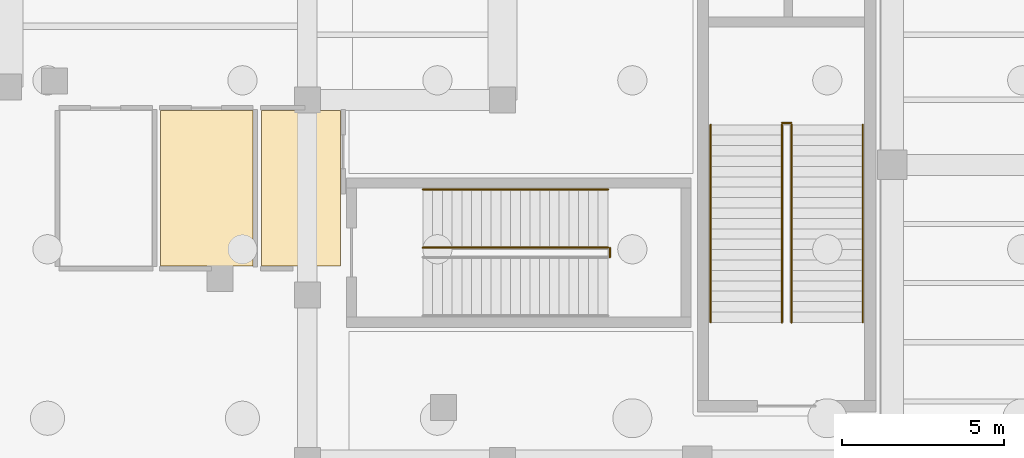
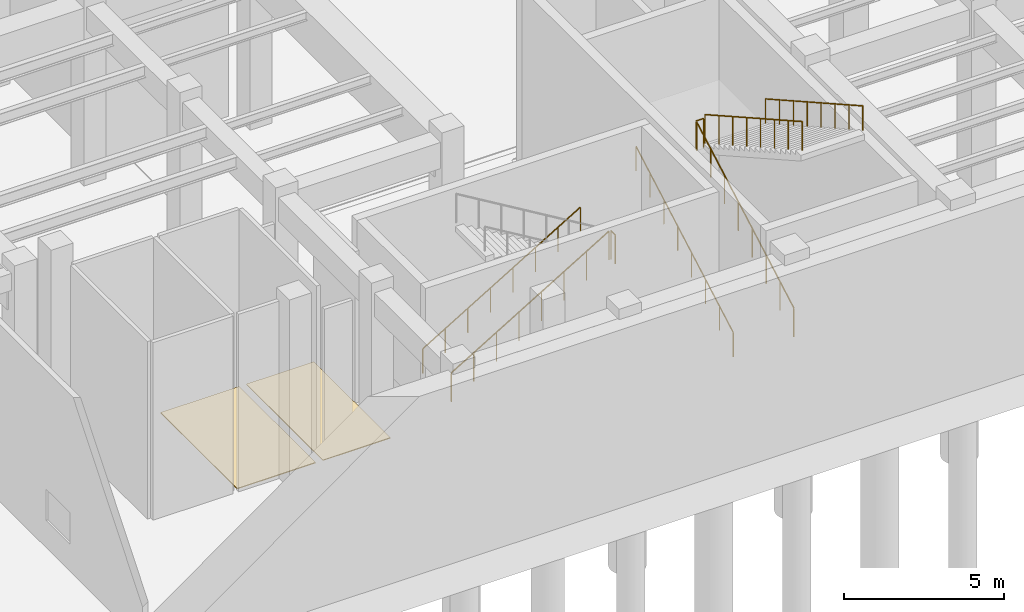
# One storey, part 24 of 30: 8 railings, 2 coverings, 2 elements without a shape of their own.
"""IFC4 building model written with IfcOpenShell, lengths in metres."""

from ifc_helpers import new_model, si_unit, direction, frame, origin, origin_2d, place, context, subcontext, project, spatial, polyline, circle, outline, extrude, material, layer, layer_set, type_object, element, aggregate, save


model = new_model("IFC4")

# Units and contexts
model_context = context("Model", 3, precision=1e-05, world=origin(), true_north=direction((0.0, 1.0)))
body_context = subcontext(model_context, "Body", "Model", "MODEL_VIEW")
ifc_project = project(units=[si_unit("LENGTHUNIT", "METRE"), si_unit("AREAUNIT", "SQUARE_METRE"), si_unit("VOLUMEUNIT", "CUBIC_METRE"), si_unit("PLANEANGLEUNIT", "RADIAN"), si_unit("MASSUNIT", "GRAM", prefix="KILO")], contexts=[model_context])

# Site, building, storey
site_placement = place(None, origin())
site = spatial("IfcSite", under=ifc_project, at=site_placement, CompositionType="ELEMENT")
building_placement = place(site_placement, origin())
building = spatial("IfcBuilding", under=site, at=building_placement, Name="Kolvaren Corner Interchange", CompositionType="ELEMENT")
storey_placement = place(building_placement, frame((0.0, 0.0, -7.199951171875)))
storey = spatial("IfcBuildingStorey", under=building, at=storey_placement, Name="B1", CompositionType="ELEMENT", Elevation=-7.199951171875)

# Coverings
ifc_material_1 = material(Name="Polished Niger Delta Granite Terrazzo Flooring", Category="masonry")
ifc_layer = layer(ifc_material_1, 0.030029296875)
ifc_layer_set = layer_set([ifc_layer], Name="Polished Niger Delta Granite Terrazzo Flooring")
covering_type = type_object("IfcCoveringType", Name="COV-FLR-TER30", PredefinedType="FLOORING", material=ifc_layer_set)
covering_1_placement = place(storey_placement, origin())
element("IfcCovering", 1, at=covering_1_placement, inside=storey, type_object=covering_type, Name="B1 Female WC Floor Finish", PredefinedType="FLOORING", context=body_context, shape_type="SweptSolid", body=[
    extrude(outline(polyline([(43.47998046875, 30.8798828125), (46.320068359375, 30.8798828125), (46.320068359375, 35.669921875), (43.47998046875, 35.669921875), (43.47998046875, 30.8798828125)])), origin(), (0.0, 0.0, 1.0), 0.030029296875),
])
covering_2_placement = place(storey_placement, origin())
element("IfcCovering", 2, at=covering_2_placement, inside=storey, type_object=covering_type, Name="B1 Accessible WC Floor Finish", PredefinedType="FLOORING", context=body_context, shape_type="SweptSolid", body=[
    extrude(outline(polyline([(46.580078125, 30.8798828125), (49.02001953125, 30.8798828125), (49.02001953125, 35.669921875), (46.580078125, 35.669921875), (46.580078125, 30.8798828125)])), origin(), (0.0, 0.0, 1.0), 0.030029296875),
])

# Stair, railings
ifc_material_2 = material(Name="Concrete C35/45", Category="concrete")
stair_type_1 = type_object("IfcStairType", Name="ST-TR-2300", PredefinedType="HALF_TURN_STAIR", material=ifc_material_2)
stair_1_placement = place(storey_placement, origin())
stair_1 = element("IfcStair", 3, at=stair_1_placement, inside=storey, type_object=stair_type_1, Name="Core C3 West Concourse Transfer Stair B1 to L01 Stair", PredefinedType="HALF_TURN_STAIR")
ifc_material_3 = material(Name="Powder-Coated Steel Stairwell Guardrail", Category="steel")
railing_type_1 = type_object("IfcRailingType", Name="RLT-STAIR-GRD1120", PredefinedType="GUARDRAIL", material=ifc_material_3)
railing_1_placement = place(storey_placement, frame((62.60009765625, 29.14990234375, 0.179931640625)))
railing_1 = element("IfcRailing", 4, at=railing_1_placement, type_object=railing_type_1, Name="Core C3 West Concourse Transfer Stair B1 Lower Flight Well Guardrail", PredefinedType="GUARDRAIL", context=body_context, shape_type="SweptSolid", body=[
    extrude(circle(Radius=0.02392578125, at=origin_2d()), frame((0.0, 0.0, 1.09619140625), z_axis=(0.0, 0.871583014279, 0.490247946676), x_axis=(-1.0, 0.0, 0.0)), (0.0, 0.0, 1.0), 6.975830078125),
    extrude(circle(Radius=0.02001953125, at=origin_2d()), origin(), (0.0, 0.0, 1.0), 1.072021484375),
    extrude(circle(Radius=0.02001953125, at=origin_2d()), frame((0.0, 0.86865234375, 0.488525390625)), (0.0, 0.0, 1.0), 1.072021484375),
    extrude(circle(Radius=0.02001953125, at=origin_2d()), frame((0.0, 1.737060546875, 0.97705078125)), (0.0, 0.0, 1.0), 1.072021484375),
    extrude(circle(Radius=0.02001953125, at=origin_2d()), frame((0.0, 2.605712890625, 1.465576171875)), (0.0, 0.0, 1.0), 1.072021484375),
    extrude(circle(Radius=0.02001953125, at=origin_2d()), frame((0.0, 3.474365234375, 1.954345703125)), (0.0, 0.0, 1.0), 1.072021484375),
    extrude(circle(Radius=0.02001953125, at=origin_2d()), frame((0.0, 4.343017578125, 2.44287109375)), (0.0, 0.0, 1.0), 1.072021484375),
    extrude(circle(Radius=0.02001953125, at=origin_2d()), frame((0.0, 5.21142578125, 2.931396484375)), (0.0, 0.0, 1.0), 1.072021484375),
    extrude(circle(Radius=0.02001953125, at=origin_2d()), frame((0.0, 6.080078125, 3.419921875)), (0.0, 0.0, 1.0), 1.072021484375),
])
railing_2_placement = place(storey_placement, frame((62.610107421875, 35.2900390625, 3.599853515625)))
railing_2 = element("IfcRailing", 5, at=railing_2_placement, type_object=railing_type_1, Name="Core C3 West Concourse Transfer Stair B1 Half Landing Well Guardrail", PredefinedType="GUARDRAIL", context=body_context, shape_type="SweptSolid", body=[
    extrude(circle(Radius=0.02392578125, at=origin_2d()), frame((0.0, 0.0, 1.09619140625), z_axis=(1.0, 0.0, 0.0), x_axis=(0.0, 1.0, 0.0)), (0.0, 0.0, 1.0), 0.27978515625),
    extrude(circle(Radius=0.02001953125, at=origin_2d()), origin(), (0.0, 0.0, 1.0), 1.072021484375),
    extrude(circle(Radius=0.02001953125, at=origin_2d()), frame((0.27978515625, 0.0, 0.0)), (0.0, 0.0, 1.0), 1.072021484375),
])
railing_3_placement = place(storey_placement, frame((62.89990234375, 35.22998046875, 3.780029296875)))
railing_3 = element("IfcRailing", 6, at=railing_3_placement, type_object=railing_type_1, Name="Core C3 West Concourse Transfer Stair B1 Upper Flight Well Guardrail", PredefinedType="GUARDRAIL", context=body_context, shape_type="SweptSolid", body=[
    extrude(circle(Radius=0.02392578125, at=origin_2d()), frame((0.0, 0.0, 1.09619140625), z_axis=(0.0, -0.871583014279, 0.490247946676), x_axis=(1.0, 0.0, 0.0)), (0.0, 0.0, 1.0), 6.975830078125),
    extrude(circle(Radius=0.02001953125, at=origin_2d()), origin(), (0.0, 0.0, 1.0), 1.072021484375),
    extrude(circle(Radius=0.02001953125, at=origin_2d()), frame((0.0, -0.86865234375, 0.488525390625)), (0.0, 0.0, 1.0), 1.072021484375),
    extrude(circle(Radius=0.02001953125, at=origin_2d()), frame((0.0, -1.737060546875, 0.97705078125)), (0.0, 0.0, 1.0), 1.072021484375),
    extrude(circle(Radius=0.02001953125, at=origin_2d()), frame((0.0, -2.605712890625, 1.465576171875)), (0.0, 0.0, 1.0), 1.072021484375),
    extrude(circle(Radius=0.02001953125, at=origin_2d()), frame((0.0, -3.474365234375, 1.954345703125)), (0.0, 0.0, 1.0), 1.072021484375),
    extrude(circle(Radius=0.02001953125, at=origin_2d()), frame((0.0, -4.343017578125, 2.44287109375)), (0.0, 0.0, 1.0), 1.072021484375),
    extrude(circle(Radius=0.02001953125, at=origin_2d()), frame((0.0, -5.21142578125, 2.931396484375)), (0.0, 0.0, 1.0), 1.072021484375),
    extrude(circle(Radius=0.02001953125, at=origin_2d()), frame((0.0, -6.080078125, 3.419921875)), (0.0, 0.0, 1.0), 1.072021484375),
])

ifc_material_4 = material(Name="Concrete C35/45", Category="concrete")
stair_type_2 = type_object("IfcStairType", Name="ST-M1-1900", PredefinedType="HALF_TURN_STAIR", material=ifc_material_4)
stair_2_placement = place(storey_placement, origin())
stair_2 = element("IfcStair", 7, at=stair_2_placement, inside=storey, type_object=stair_type_2, Name="Metro West Plant and Gateline Exit Stair B1 to L01 Stair", PredefinedType="HALF_TURN_STAIR")
railing_4_placement = place(storey_placement, frame((51.550048828125, 31.449951171875, 0.179931640625)))
railing_4 = element("IfcRailing", 8, at=railing_4_placement, type_object=railing_type_1, Name="Metro West Plant and Gateline Exit Stair B1 Lower Flight Well Guardrail", PredefinedType="GUARDRAIL", context=body_context, shape_type="SweptSolid", body=[
    extrude(circle(Radius=0.02392578125, at=origin_2d()), frame((0.0, 0.0, 1.09619140625), z_axis=(0.85749616643, 0.0, 0.514490354193), x_axis=(0.0, 1.0, 0.0)), (0.0, 0.0, 1.0), 6.647216796875),
    extrude(circle(Radius=0.02001953125, at=origin_2d()), origin(), (0.0, 0.0, 1.0), 1.072021484375),
    extrude(circle(Radius=0.02001953125, at=origin_2d()), frame((0.814208984375, 0.0, 0.488525390625)), (0.0, 0.0, 1.0), 1.072021484375),
    extrude(circle(Radius=0.02001953125, at=origin_2d()), frame((1.628662109375, 0.0, 0.97705078125)), (0.0, 0.0, 1.0), 1.072021484375),
    extrude(circle(Radius=0.02001953125, at=origin_2d()), frame((2.44287109375, 0.0, 1.465576171875)), (0.0, 0.0, 1.0), 1.072021484375),
    extrude(circle(Radius=0.02001953125, at=origin_2d()), frame((3.257080078125, 0.0, 1.954345703125)), (0.0, 0.0, 1.0), 1.072021484375),
    extrude(circle(Radius=0.02001953125, at=origin_2d()), frame((4.0712890625, 0.0, 2.44287109375)), (0.0, 0.0, 1.0), 1.072021484375),
    extrude(circle(Radius=0.02001953125, at=origin_2d()), frame((4.8857421875, 0.0, 2.931396484375)), (0.0, 0.0, 1.0), 1.072021484375),
    extrude(circle(Radius=0.02001953125, at=origin_2d()), frame((5.699951171875, 0.0, 3.419921875)), (0.0, 0.0, 1.0), 1.072021484375),
])
railing_5_placement = place(storey_placement, frame((57.31005859375, 31.43994140625, 3.599853515625)))
railing_5 = element("IfcRailing", 9, at=railing_5_placement, type_object=railing_type_1, Name="Metro West Plant and Gateline Exit Stair B1 Half Landing Well Guardrail", PredefinedType="GUARDRAIL", context=body_context, shape_type="SweptSolid", body=[
    extrude(circle(Radius=0.02392578125, at=origin_2d()), frame((0.0, 0.0, 1.09619140625), z_axis=(0.0, -1.0, 0.0), x_axis=(1.0, 0.0, 0.0)), (0.0, 0.0, 1.0), 0.280029296875),
    extrude(circle(Radius=0.02001953125, at=origin_2d()), origin(), (0.0, 0.0, 1.0), 1.072021484375),
    extrude(circle(Radius=0.02001953125, at=origin_2d()), frame((0.0, -0.280029296875, 0.0)), (0.0, 0.0, 1.0), 1.072021484375),
])

# Railing
ifc_material_5 = material(Name="Brushed Stainless Steel Stair Handrail", Category="steel")
railing_type_2 = type_object("IfcRailingType", Name="RLT-STAIR-HR950", PredefinedType="HANDRAIL", material=ifc_material_5)
railing_6_placement = place(storey_placement, frame((60.409912109375, 29.14990234375, 0.179931640625)))
railing_6 = element("IfcRailing", 10, at=railing_6_placement, type_object=railing_type_2, Name="Core C3 West Concourse Transfer Stair B1 Lower Flight Wall Handrail", PredefinedType="HANDRAIL", context=body_context, shape_type="SweptSolid", body=[
    extrude(circle(Radius=0.02197265625, at=origin_2d()), frame((0.0, 0.0, 0.927978515625), z_axis=(0.0, 0.871583014279, 0.490247946676), x_axis=(-1.0, 0.0, 0.0)), (0.0, 0.0, 1.0), 6.975830078125),
    extrude(circle(Radius=0.01806640625, at=origin_2d()), origin(), (0.0, 0.0, 1.0), 0.906005859375),
    extrude(circle(Radius=0.01806640625, at=origin_2d()), frame((0.0, 0.86865234375, 0.488525390625)), (0.0, 0.0, 1.0), 0.906005859375),
    extrude(circle(Radius=0.01806640625, at=origin_2d()), frame((0.0, 1.737060546875, 0.97705078125)), (0.0, 0.0, 1.0), 0.906005859375),
    extrude(circle(Radius=0.01806640625, at=origin_2d()), frame((0.0, 2.605712890625, 1.465576171875)), (0.0, 0.0, 1.0), 0.906005859375),
    extrude(circle(Radius=0.01806640625, at=origin_2d()), frame((0.0, 3.474365234375, 1.954345703125)), (0.0, 0.0, 1.0), 0.906005859375),
    extrude(circle(Radius=0.01806640625, at=origin_2d()), frame((0.0, 4.343017578125, 2.44287109375)), (0.0, 0.0, 1.0), 0.906005859375),
    extrude(circle(Radius=0.01806640625, at=origin_2d()), frame((0.0, 5.21142578125, 2.931396484375)), (0.0, 0.0, 1.0), 0.906005859375),
    extrude(circle(Radius=0.01806640625, at=origin_2d()), frame((0.0, 6.080078125, 3.419921875)), (0.0, 0.0, 1.0), 0.906005859375),
])

railing_7_placement = place(storey_placement, frame((65.090087890625, 35.22998046875, 3.780029296875)))
railing_7 = element("IfcRailing", 11, at=railing_7_placement, type_object=railing_type_2, Name="Core C3 West Concourse Transfer Stair B1 Upper Flight Wall Handrail", PredefinedType="HANDRAIL", context=body_context, shape_type="SweptSolid", body=[
    extrude(circle(Radius=0.02197265625, at=origin_2d()), frame((0.0, 0.0, 0.927978515625), z_axis=(0.0, -0.871583014279, 0.490247946676), x_axis=(1.0, 0.0, 0.0)), (0.0, 0.0, 1.0), 6.975830078125),
    extrude(circle(Radius=0.01806640625, at=origin_2d()), origin(), (0.0, 0.0, 1.0), 0.906005859375),
    extrude(circle(Radius=0.01806640625, at=origin_2d()), frame((0.0, -0.86865234375, 0.488525390625)), (0.0, 0.0, 1.0), 0.906005859375),
    extrude(circle(Radius=0.01806640625, at=origin_2d()), frame((0.0, -1.737060546875, 0.97705078125)), (0.0, 0.0, 1.0), 0.906005859375),
    extrude(circle(Radius=0.01806640625, at=origin_2d()), frame((0.0, -2.605712890625, 1.465576171875)), (0.0, 0.0, 1.0), 0.906005859375),
    extrude(circle(Radius=0.01806640625, at=origin_2d()), frame((0.0, -3.474365234375, 1.954345703125)), (0.0, 0.0, 1.0), 0.906005859375),
    extrude(circle(Radius=0.01806640625, at=origin_2d()), frame((0.0, -4.343017578125, 2.44287109375)), (0.0, 0.0, 1.0), 0.906005859375),
    extrude(circle(Radius=0.01806640625, at=origin_2d()), frame((0.0, -5.21142578125, 2.931396484375)), (0.0, 0.0, 1.0), 0.906005859375),
    extrude(circle(Radius=0.01806640625, at=origin_2d()), frame((0.0, -6.080078125, 3.419921875)), (0.0, 0.0, 1.0), 0.906005859375),
])

aggregate(stair_1, [railing_1, railing_2, railing_3, railing_6, railing_7])

railing_8_placement = place(storey_placement, frame((51.550048828125, 33.239990234375, 0.179931640625)))
railing_8 = element("IfcRailing", 12, at=railing_8_placement, type_object=railing_type_2, Name="Metro West Plant and Gateline Exit Stair B1 Lower Flight Wall Handrail", PredefinedType="HANDRAIL", context=body_context, shape_type="SweptSolid", body=[
    extrude(circle(Radius=0.02197265625, at=origin_2d()), frame((0.0, 0.0, 0.927978515625), z_axis=(0.85749616643, 0.0, 0.514490354193), x_axis=(0.0, 1.0, 0.0)), (0.0, 0.0, 1.0), 6.647216796875),
    extrude(circle(Radius=0.01806640625, at=origin_2d()), origin(), (0.0, 0.0, 1.0), 0.906005859375),
    extrude(circle(Radius=0.01806640625, at=origin_2d()), frame((0.814208984375, 0.0, 0.488525390625)), (0.0, 0.0, 1.0), 0.906005859375),
    extrude(circle(Radius=0.01806640625, at=origin_2d()), frame((1.628662109375, 0.0, 0.97705078125)), (0.0, 0.0, 1.0), 0.906005859375),
    extrude(circle(Radius=0.01806640625, at=origin_2d()), frame((2.44287109375, 0.0, 1.465576171875)), (0.0, 0.0, 1.0), 0.906005859375),
    extrude(circle(Radius=0.01806640625, at=origin_2d()), frame((3.257080078125, 0.0, 1.954345703125)), (0.0, 0.0, 1.0), 0.906005859375),
    extrude(circle(Radius=0.01806640625, at=origin_2d()), frame((4.0712890625, 0.0, 2.44287109375)), (0.0, 0.0, 1.0), 0.906005859375),
    extrude(circle(Radius=0.01806640625, at=origin_2d()), frame((4.8857421875, 0.0, 2.931396484375)), (0.0, 0.0, 1.0), 0.906005859375),
    extrude(circle(Radius=0.01806640625, at=origin_2d()), frame((5.699951171875, 0.0, 3.419921875)), (0.0, 0.0, 1.0), 0.906005859375),
])

aggregate(stair_2, [railing_4, railing_5, railing_8])

save(model, "model.ifc")
